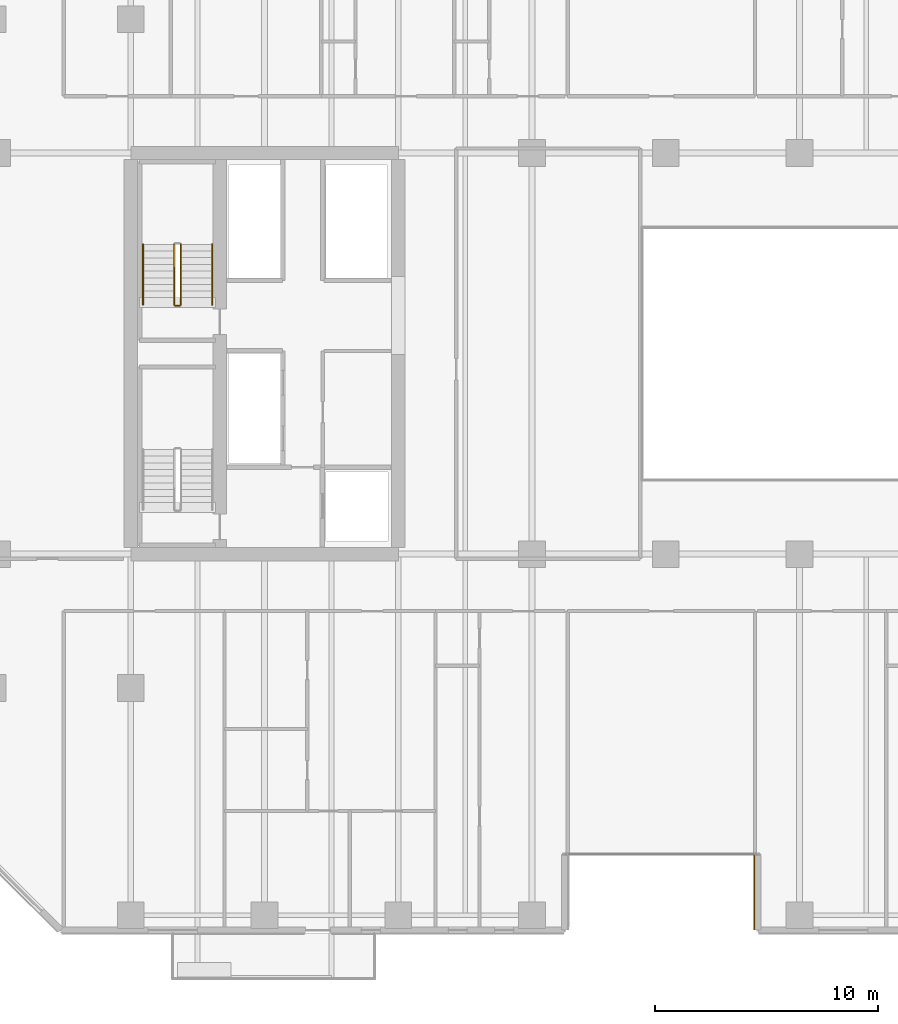
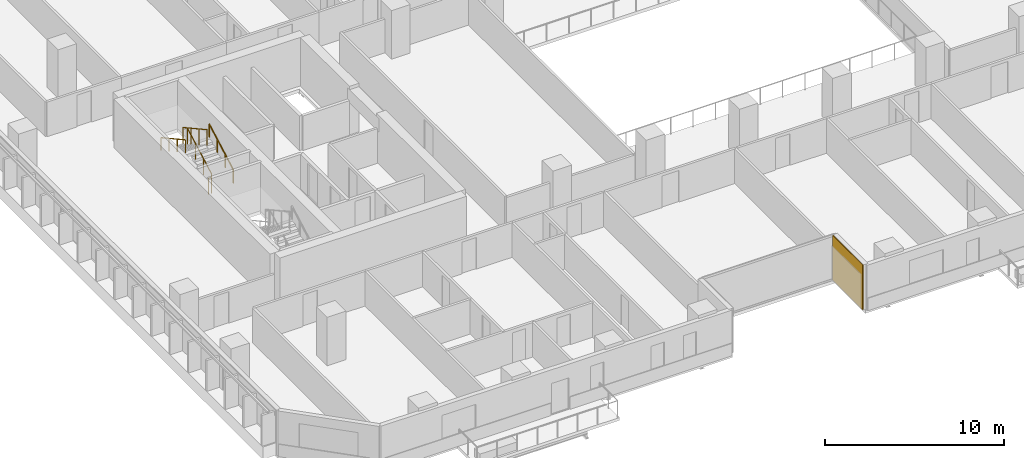
# One storey, part 20 of 26: 5 railings, 1 covering.
"""IFC4 building model written with IfcOpenShell, lengths in metres."""

from ifc_helpers import new_model, si_unit, direction, frame, origin, origin_2d, place, context, subcontext, project, spatial, rectangle, extrude, material, layer, layer_set, type_object, element, save


model = new_model("IFC4")

# Units and contexts
model_context = context("Model", 3, precision=1e-05, world=origin(), true_north=direction((0.0, 1.0)))
body_context = subcontext(model_context, "Body", "Model", "MODEL_VIEW")
ifc_project = project(units=[si_unit("LENGTHUNIT", "METRE"), si_unit("AREAUNIT", "SQUARE_METRE"), si_unit("VOLUMEUNIT", "CUBIC_METRE"), si_unit("PLANEANGLEUNIT", "RADIAN"), si_unit("MASSUNIT", "GRAM", prefix="KILO")], contexts=[model_context])

# Site, building, storey
site_placement = place(None, origin())
site = spatial("IfcSite", under=ifc_project, at=site_placement, CompositionType="ELEMENT")
building_placement = place(site_placement, origin())
building = spatial("IfcBuilding", under=site, at=building_placement, Name="Tanjung Sevakor Pilgrim Tower", CompositionType="ELEMENT")
storey_placement = place(building_placement, frame((0.0, 0.0, 48.840087890625)))
storey = spatial("IfcBuildingStorey", under=building, at=storey_placement, Name="L13", CompositionType="ELEMENT", Elevation=48.840087890625)

# Covering
ifc_material_1 = material(Name="Reconstructed Limestone Cladding", Category="masonry")
ifc_layer = layer(ifc_material_1, 0.044921875)
ifc_layer_set = layer_set([ifc_layer], Name="COV-CLAD-LIMESTONE")
covering_type = type_object("IfcCoveringType", Name="COV-CLAD-LIMESTONE", PredefinedType="CLADDING", material=ifc_layer_set)
covering_placement = place(storey_placement, frame((51.9775390625, 9.43994140625, 0.019775390625), z_axis=(0.0, 0.0, 1.0), x_axis=(0.0, -1.0, 0.0)))
element("IfcCovering", 1, at=covering_placement, inside=storey, type_object=covering_type, Name="L13 Warm Limestone Wall Cladding EW-L13-MAIN-4", PredefinedType="CLADDING", context=body_context, shape_type="SweptSolid", body=[
    extrude(rectangle(XDim=3.360107421875, YDim=0.044921875, at=origin_2d()), origin(), (0.0, 0.0, 1.0), 3.0400390625),
])

# Railings
ifc_material_2 = material(Name="Steel S355J2", Category="steel")
railing_type_1 = type_object("IfcRailingType", Name="RL-STAIR-GUARD", PredefinedType="GUARDRAIL", material=ifc_material_2)
railing_1_placement = place(storey_placement, frame((26.25, 35.800048828125, 0.164794921875)))
element("IfcRailing", 2, at=railing_1_placement, inside=storey, type_object=railing_type_1, Name="L13 TS-W2 stair guard 1", PredefinedType="GUARDRAIL", context=body_context, shape_type="SweptSolid", body=[
    extrude(rectangle(XDim=0.0479, YDim=0.0479), frame((0.0, 0.0, 1.076171875), z_axis=(0.0, 0.876197507361, 0.481952205197), x_axis=(-1.0, 0.0, 0.0)), (0.0, 0.0, 1.0), 3.08154296875),
    extrude(rectangle(XDim=0.042, YDim=0.042), origin(), (0.0, 0.0, 1.0), 1.052001953125),
    extrude(rectangle(XDim=0.042, YDim=0.042), frame((0.0, 0.89990234375, 0.4951171875)), (0.0, 0.0, 1.0), 1.052001953125),
    extrude(rectangle(XDim=0.042, YDim=0.042), frame((0.0, 1.800048828125, 0.989990234375)), (0.0, 0.0, 1.0), 1.052001953125),
    extrude(rectangle(XDim=0.042, YDim=0.042), frame((0.0, 2.699951171875, 1.485107421875)), (0.0, 0.0, 1.0), 1.052001953125),
])
railing_2_placement = place(storey_placement, frame((25.949951171875, 38.5, 1.81494140625)))
element("IfcRailing", 3, at=railing_2_placement, inside=storey, type_object=railing_type_1, Name="L13 TS-W2 stair guard 3", PredefinedType="GUARDRAIL", context=body_context, shape_type="SweptSolid", body=[
    extrude(rectangle(XDim=0.0479, YDim=0.0479), frame((0.0, 0.0, 1.076171875), z_axis=(0.0, -0.876230963923, 0.481891375584), x_axis=(1.0, 0.0, 0.0)), (0.0, 0.0, 1.0), 3.081298828125),
    extrude(rectangle(XDim=0.042, YDim=0.042), origin(), (0.0, 0.0, 1.0), 1.052001953125),
    extrude(rectangle(XDim=0.042, YDim=0.042), frame((0.0, -0.89990234375, 0.494873046875)), (0.0, 0.0, 1.0), 1.052001953125),
    extrude(rectangle(XDim=0.042, YDim=0.042), frame((0.0, -1.800048828125, 0.989990234375)), (0.0, 0.0, 1.0), 1.052001953125),
    extrude(rectangle(XDim=0.042, YDim=0.042), frame((0.0, -2.699951171875, 1.48486328125)), (0.0, 0.0, 1.0), 1.052001953125),
])
railing_3_placement = place(storey_placement, frame((26.199951171875, 35.75, 0.0)))
element("IfcRailing", 4, at=railing_3_placement, inside=storey, type_object=railing_type_1, Name="L13 TS-W2 stair guard 4", PredefinedType="GUARDRAIL", context=body_context, shape_type="SweptSolid", body=[
    extrude(rectangle(XDim=0.0479, YDim=0.0479), frame((0.0, 0.0, 1.076171875), z_axis=(-1.0, 0.0, 0.0), x_axis=(0.0, -1.0, 0.0)), (0.0, 0.0, 1.0), 0.199951171875),
    extrude(rectangle(XDim=0.042, YDim=0.042), origin(), (0.0, 0.0, 1.0), 1.052001953125),
    extrude(rectangle(XDim=0.042, YDim=0.042), frame((-0.199951171875, 0.0, 0.0)), (0.0, 0.0, 1.0), 1.052001953125),
])
ifc_material_3 = material(Name="Steel S355J2", Category="steel")
railing_type_2 = type_object("IfcRailingType", Name="RL-STAIR-HAND", PredefinedType="HANDRAIL", material=ifc_material_3)
railing_4_placement = place(storey_placement, frame((27.64990234375, 35.800048828125, 0.164794921875)))
element("IfcRailing", 5, at=railing_4_placement, inside=storey, type_object=railing_type_2, Name="L13 TS-W2 stair handrail 1", PredefinedType="HANDRAIL", context=body_context, shape_type="SweptSolid", body=[
    extrude(rectangle(XDim=0.0479, YDim=0.0479), frame((0.0, 0.0, 0.8759765625), z_axis=(0.0, 0.876197507361, 0.481952205197), x_axis=(-1.0, 0.0, 0.0)), (0.0, 0.0, 1.0), 3.08154296875),
    extrude(rectangle(XDim=0.042, YDim=0.042), origin(), (0.0, 0.0, 1.0), 0.851806640625),
    extrude(rectangle(XDim=0.042, YDim=0.042), frame((0.0, 0.89990234375, 0.4951171875)), (0.0, 0.0, 1.0), 0.851806640625),
    extrude(rectangle(XDim=0.042, YDim=0.042), frame((0.0, 1.800048828125, 0.989990234375)), (0.0, 0.0, 1.0), 0.851806640625),
    extrude(rectangle(XDim=0.042, YDim=0.042), frame((0.0, 2.699951171875, 1.485107421875)), (0.0, 0.0, 1.0), 0.851806640625),
])
railing_5_placement = place(storey_placement, frame((24.550048828125, 38.5, 1.81494140625)))
element("IfcRailing", 6, at=railing_5_placement, inside=storey, type_object=railing_type_2, Name="L13 TS-W2 stair handrail 2", PredefinedType="HANDRAIL", context=body_context, shape_type="SweptSolid", body=[
    extrude(rectangle(XDim=0.0479, YDim=0.0479), frame((0.0, 0.0, 0.8759765625), z_axis=(0.0, -0.876230963923, 0.481891375584), x_axis=(1.0, 0.0, 0.0)), (0.0, 0.0, 1.0), 3.081298828125),
    extrude(rectangle(XDim=0.042, YDim=0.042), origin(), (0.0, 0.0, 1.0), 0.851806640625),
    extrude(rectangle(XDim=0.042, YDim=0.042), frame((0.0, -0.89990234375, 0.494873046875)), (0.0, 0.0, 1.0), 0.851806640625),
    extrude(rectangle(XDim=0.042, YDim=0.042), frame((0.0, -1.800048828125, 0.989990234375)), (0.0, 0.0, 1.0), 0.851806640625),
    extrude(rectangle(XDim=0.042, YDim=0.042), frame((0.0, -2.699951171875, 1.48486328125)), (0.0, 0.0, 1.0), 0.851806640625),
])

save(model, "model.ifc")
